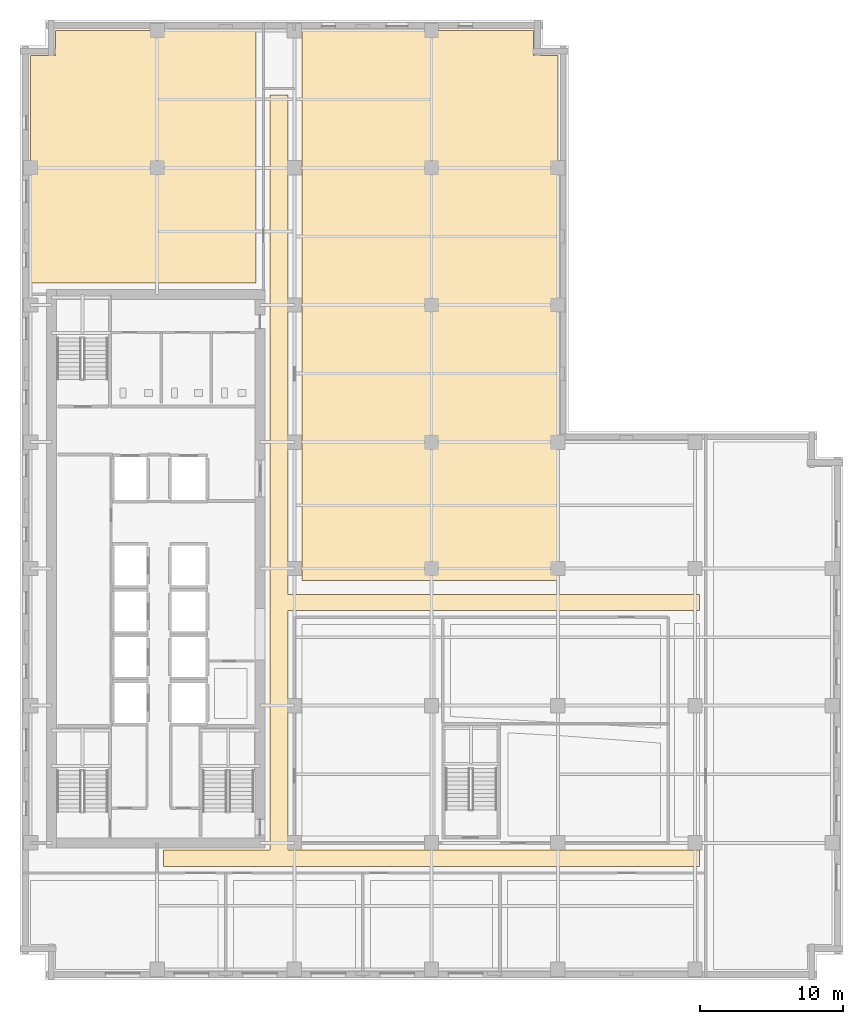
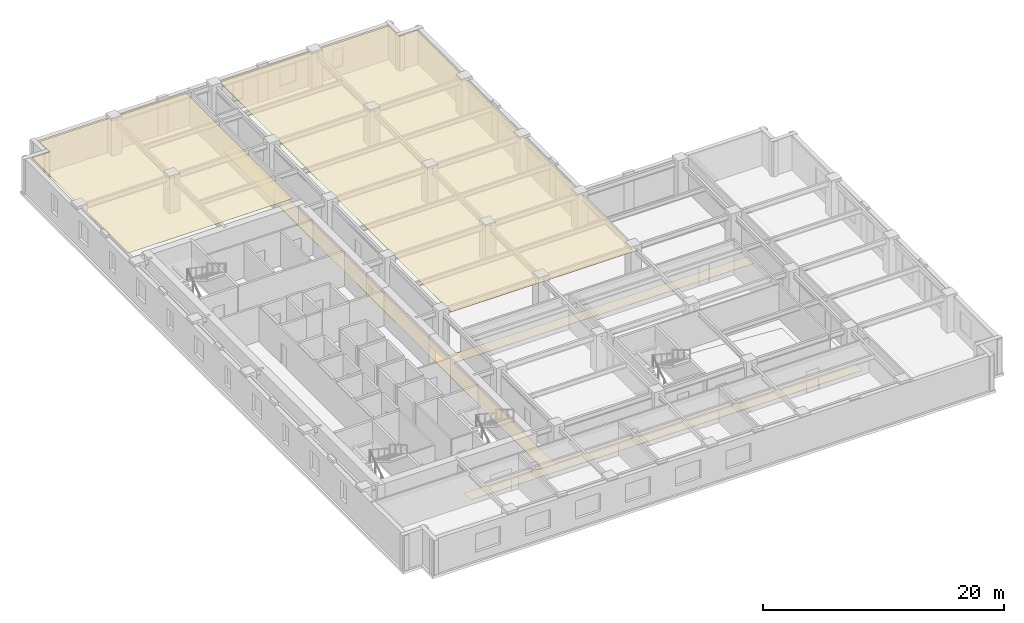
# One storey, part 10 of 11: 3 coverings.
"""IFC4 building model written with IfcOpenShell, lengths in metres."""

from ifc_helpers import new_model, si_unit, direction, frame, origin, place, context, subcontext, project, spatial, polyline, outline, extrude, material, layer, layer_set, type_object, element, save


model = new_model("IFC4")

# Units and contexts
model_context = context("Model", 3, precision=1e-05, world=origin(), true_north=direction((0.0, 1.0)))
body_context = subcontext(model_context, "Body", "Model", "MODEL_VIEW")
ifc_project = project(units=[si_unit("LENGTHUNIT", "METRE"), si_unit("AREAUNIT", "SQUARE_METRE"), si_unit("VOLUMEUNIT", "CUBIC_METRE"), si_unit("PLANEANGLEUNIT", "RADIAN"), si_unit("MASSUNIT", "GRAM", prefix="KILO")], contexts=[model_context])

# Site, building, storey
site_placement = place(None, origin())
site = spatial("IfcSite", under=ifc_project, at=site_placement, CompositionType="ELEMENT")
building_placement = place(site_placement, origin())
building = spatial("IfcBuilding", under=site, at=building_placement, Name="Norrvale University Quadrangle", CompositionType="ELEMENT")
storey_placement = place(building_placement, frame((0.0, 0.0, 120.39990234375)))
storey = spatial("IfcBuildingStorey", under=building, at=storey_placement, Name="L30", CompositionType="ELEMENT", Elevation=120.39990234375)

# Coverings
ifc_material_1 = material(Name="Perforated Acoustic Mineral Ceiling")
ifc_layer_1 = layer(ifc_material_1, 0.02490234375, Name="Perforated Acoustic Mineral Ceiling")
ifc_layer_set_1 = layer_set([ifc_layer_1], Name="Perforated Acoustic Mineral Ceiling")
covering_type_1 = type_object("IfcCoveringType", Name="Covering Acoustic Ceiling 25", PredefinedType="CEILING", material=ifc_layer_set_1)
covering_1_placement = place(storey_placement, frame((0.0, 0.0, 3.51513671875)))
element("IfcCovering", 1, at=covering_1_placement, inside=storey, type_object=covering_type_1, Name="Acoustic Ceiling RM-L30-NE01", PredefinedType="CEILING", context=body_context, shape_type="SweptSolid", body=[
    extrude(outline(polyline([(37.64990234375, 27.97998046875), (19.72998046875, 27.97998046875), (19.72998046875, 66.449951171875), (35.929931640625, 66.449951171875), (35.929931640625, 64.72998046875), (37.64990234375, 64.72998046875), (37.64990234375, 27.97998046875)])), origin(), (0.0, 0.0, 1.0), 0.02490234375),
])
covering_2_placement = place(storey_placement, frame((0.0, 0.0, 3.51513671875)))
element("IfcCovering", 2, at=covering_2_placement, inside=storey, type_object=covering_type_1, Name="Acoustic Ceiling RM-L30-NW01", PredefinedType="CEILING", context=body_context, shape_type="SweptSolid", body=[
    extrude(outline(polyline([(16.52001953125, 66.449951171875), (16.52001953125, 48.780029296875), (0.75, 48.780029296875), (0.75, 64.72998046875), (2.469970703125, 64.72998046875), (2.469970703125, 66.449951171875), (16.52001953125, 66.449951171875)])), origin(), (0.0, 0.0, 1.0), 0.02490234375),
])
ifc_material_2 = material(Name="Polished Terrazzo Flooring")
ifc_layer_2 = layer(ifc_material_2, 0.02490234375, Name="Polished Terrazzo Flooring")
ifc_layer_set_2 = layer_set([ifc_layer_2], Name="Polished Terrazzo Flooring")
covering_type_2 = type_object("IfcCoveringType", Name="Covering Terrazzo Floor 30", PredefinedType="FLOORING", material=ifc_layer_set_2)
covering_3_placement = place(storey_placement, origin())
element("IfcCovering", 3, at=covering_3_placement, inside=storey, type_object=covering_type_2, Name="Terrazzo Flooring RM-L30-CORR1", PredefinedType="FLOORING", context=body_context, shape_type="SweptSolid", body=[
    extrude(outline(polyline([(10.050048828125, 7.949951171875), (10.050048828125, 9.10009765625), (17.5, 9.10009765625), (17.5, 61.949951171875), (18.75, 61.949951171875), (18.75, 27.0), (47.550048828125, 27.0), (47.550048828125, 25.85009765625), (18.75, 25.85009765625), (18.75, 9.10009765625), (47.550048828125, 9.10009765625), (47.550048828125, 7.949951171875), (10.050048828125, 7.949951171875)])), origin(), (0.0, 0.0, 1.0), 0.025146484375),
])

save(model, "model.ifc")
